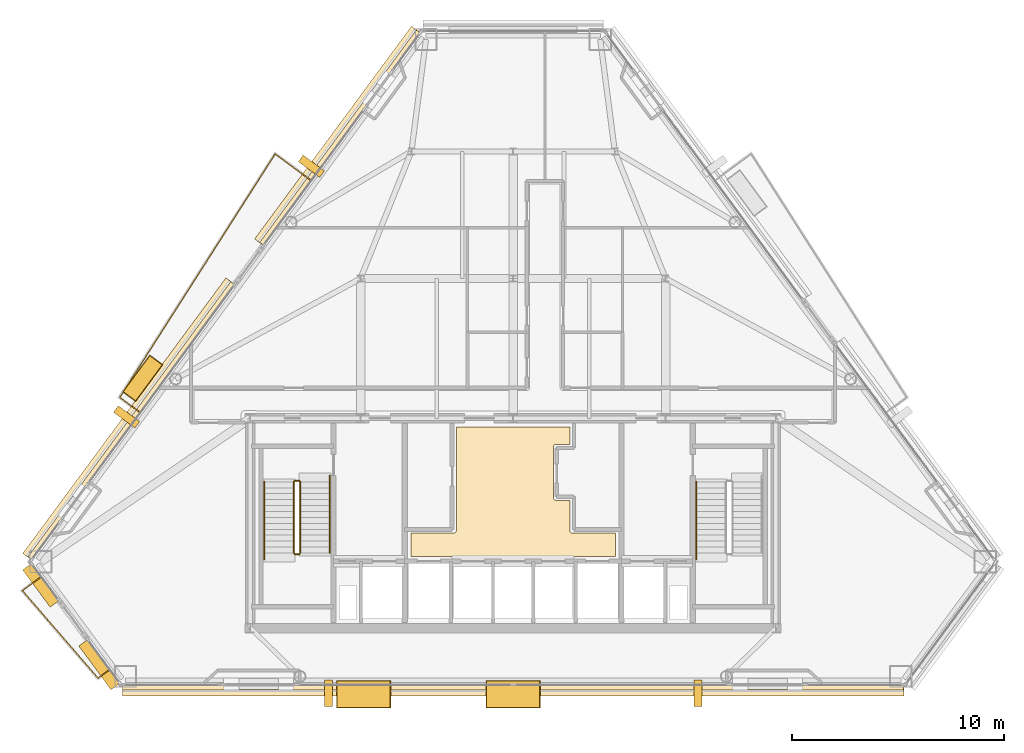
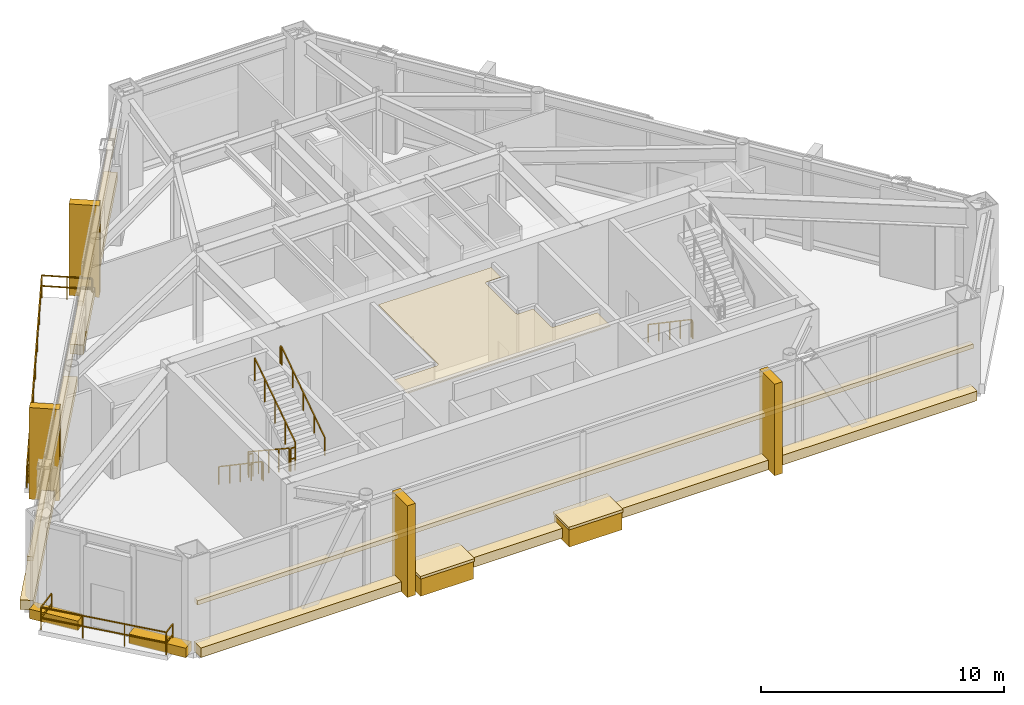
# One storey, part 9 of 10: 19 coverings, 9 railings.
"""IFC4 building model written with IfcOpenShell, lengths in metres."""

from ifc_helpers import new_model, si_unit, direction, frame, origin, origin_2d, place, context, subcontext, project, spatial, polyline, rectangle, outline, extrude, material, layer, layer_set, type_object, element, save


model = new_model("IFC4")

# Units and contexts
model_context = context("Model", 3, precision=1e-05, world=origin(), true_north=direction((0.0, 1.0)))
body_context = subcontext(model_context, "Body", "Model", "MODEL_VIEW")
ifc_project = project(units=[si_unit("LENGTHUNIT", "METRE"), si_unit("AREAUNIT", "SQUARE_METRE"), si_unit("VOLUMEUNIT", "CUBIC_METRE"), si_unit("PLANEANGLEUNIT", "RADIAN"), si_unit("MASSUNIT", "GRAM", prefix="KILO")], contexts=[model_context])

# Site, building, storey
site_placement = place(None, origin())
site = spatial("IfcSite", under=ifc_project, at=site_placement, CompositionType="ELEMENT")
building_placement = place(site_placement, origin())
building = spatial("IfcBuilding", under=site, at=building_placement, Name="Talgorran Terracotta Tower", CompositionType="ELEMENT")
storey_placement = place(building_placement, frame((0.0, 0.0, 173.699951171875)))
storey = spatial("IfcBuildingStorey", under=building, at=storey_placement, Name="L45", CompositionType="ELEMENT", Elevation=173.699951171875)

# Coverings
ifc_material_1 = material(Name="Kiln-Fired Terracotta Ochre Ceramic", Category="masonry")
ifc_layer_1 = layer(ifc_material_1, 0.179931640625, Name="COV_BAGUETTE_TERRACOTTA_SCREEN")
ifc_layer_set_1 = layer_set([ifc_layer_1], Name="Kiln-Fired Terracotta Ochre Ceramic")
covering_type_1 = type_object("IfcCoveringType", Name="COV_BAGUETTE_TERRACOTTA_SCREEN", PredefinedType="CLADDING", material=ifc_layer_set_1)
covering_1_placement = place(storey_placement, frame((0.0, -16.885498046875, 2.41015625), z_axis=(0.0, 0.0, 1.0), x_axis=(1.0, 0.0, 0.0)))
element("IfcCovering", 1, at=covering_1_placement, inside=storey, type_object=covering_type_1, Name="L45 Terracotta Baguette Solar Screen Assembly F1", PredefinedType="CLADDING", context=body_context, shape_type="SweptSolid", body=[
    extrude(rectangle(XDim=36.865478515625, YDim=0.260009765625, at=origin_2d()), origin(), (0.0, 0.0, 1.0), 0.219970703125),
])
covering_2_placement = place(storey_placement, frame((-8.16064453125, 9.038330078125, 2.41015625), z_axis=(0.0, 0.0, 1.0), x_axis=(-0.593489124579, -0.804842008724, 0.0)))
element("IfcCovering", 2, at=covering_2_placement, inside=storey, type_object=covering_type_1, Name="L45 Terracotta Baguette Solar Screen Assembly F60", PredefinedType="CLADDING", context=body_context, shape_type="SweptSolid", body=[
    extrude(rectangle(XDim=12.464599609375, YDim=0.260009765625, at=origin_2d()), origin(), (0.0, 0.0, 1.0), 0.219970703125),
])
covering_3_placement = place(storey_placement, frame((-18.015380859375, -4.32568359375, 2.41015625), z_axis=(0.0, 0.0, 1.0), x_axis=(-0.593489124579, -0.804842008724, 0.0)))
element("IfcCovering", 3, at=covering_3_placement, inside=storey, type_object=covering_type_1, Name="L45 Terracotta Baguette Solar Screen Assembly F61", PredefinedType="CLADDING", context=body_context, shape_type="SweptSolid", body=[
    extrude(rectangle(XDim=16.14453125, YDim=0.260009765625, at=origin_2d()), origin(), (0.0, 0.0, 1.0), 0.219970703125),
])
ifc_material_2 = material(Name="Flush Moisture-Resistant Plaster")
ifc_layer_2 = layer(ifc_material_2, 0.01806640625, Name="COV_CEIL_PLASTER")
ifc_layer_set_2 = layer_set([ifc_layer_2], Name="Flush Moisture-Resistant Plaster")
covering_type_2 = type_object("IfcCoveringType", Name="COV_CEIL_PLASTER", PredefinedType="CEILING", material=ifc_layer_set_2)
covering_4_placement = place(storey_placement, frame((0.0, 0.0, 4.4599609375)))
element("IfcCovering", 4, at=covering_4_placement, inside=storey, type_object=covering_type_2, Name="CEIL-L45-1", PredefinedType="CEILING", context=body_context, shape_type="SweptSolid", body=[
    extrude(outline(polyline([(4.830078125, -9.6201171875), (4.830078125, -10.72998046875), (-4.830078125, -10.72998046875), (-4.830078125, -9.6201171875), (-2.800048828125, -9.6201171875), (-2.7880859375, -9.619384765625), (-2.776611328125, -9.61767578125), (-2.76513671875, -9.61474609375), (-2.754150390625, -9.61083984375), (-2.743408203125, -9.605712890625), (-2.7333984375, -9.599853515625), (-2.723876953125, -9.5927734375), (-2.715087890625, -9.5849609375), (-2.707275390625, -9.576171875), (-2.7001953125, -9.566650390625), (-2.694091796875, -9.556640625), (-2.689208984375, -9.5458984375), (-2.685302734375, -9.534912109375), (-2.682373046875, -9.5234375), (-2.6806640625, -9.51171875), (-2.679931640625, -9.5), (-2.679931640625, -4.6201171875), (2.679931640625, -4.6201171875), (2.679931640625, -5.429931640625), (2.02001953125, -5.429931640625), (2.00830078125, -5.4306640625), (1.99658203125, -5.432373046875), (1.985107421875, -5.435302734375), (1.97412109375, -5.439208984375), (1.96337890625, -5.444091796875), (1.953369140625, -5.4501953125), (1.94384765625, -5.457275390625), (1.93505859375, -5.465087890625), (1.92724609375, -5.473876953125), (1.920166015625, -5.4833984375), (1.914306640625, -5.493408203125), (1.9091796875, -5.504150390625), (1.9052734375, -5.51513671875), (1.90234375, -5.526611328125), (1.900634765625, -5.5380859375), (1.89990234375, -5.550048828125), (1.89990234375, -7.949951171875), (1.900634765625, -7.9619140625), (1.90234375, -7.973388671875), (1.9052734375, -7.98486328125), (1.9091796875, -7.995849609375), (1.914306640625, -8.006591796875), (1.920166015625, -8.0166015625), (1.92724609375, -8.026123046875), (1.93505859375, -8.034912109375), (1.94384765625, -8.042724609375), (1.953369140625, -8.0498046875), (1.96337890625, -8.055908203125), (1.97412109375, -8.060791015625), (1.985107421875, -8.064697265625), (1.99658203125, -8.067626953125), (2.00830078125, -8.0693359375), (2.02001953125, -8.070068359375), (2.679931640625, -8.070068359375), (2.679931640625, -9.5), (2.6806640625, -9.51171875), (2.682373046875, -9.5234375), (2.685302734375, -9.534912109375), (2.689208984375, -9.5458984375), (2.694091796875, -9.556640625), (2.7001953125, -9.566650390625), (2.707275390625, -9.576171875), (2.715087890625, -9.5849609375), (2.723876953125, -9.5927734375), (2.7333984375, -9.599853515625), (2.743408203125, -9.605712890625), (2.754150390625, -9.61083984375), (2.76513671875, -9.61474609375), (2.776611328125, -9.61767578125), (2.7880859375, -9.619384765625), (2.800048828125, -9.6201171875), (4.830078125, -9.6201171875)])), origin(), (0.0, 0.0, 1.0), 0.02001953125),
])
ifc_material_3 = material(Name="Honed Limestone and Terracotta Planter", Category="masonry")
ifc_layer_3 = layer(ifc_material_3, 0.1201171875, Name="COV_PLANTER_BOX")
ifc_layer_set_3 = layer_set([ifc_layer_3], Name="Honed Limestone and Terracotta Planter")
covering_type_3 = type_object("IfcCoveringType", Name="COV_PLANTER_BOX", PredefinedType="CLADDING", material=ifc_layer_set_3)
for number, where, z_axis, x_axis, name in (
    (5, (-7.05419921875, -17.2255859375, -0.179931640625), (0.0, 0.0, 1.0), (1.0, 0.0, 0.0), "L45 Staggered South Facade Planter Box 1"),
    (6, (0.0, -17.2255859375, -0.179931640625), (0.0, 0.0, 1.0), (1.0, 0.0, 0.0), "L45 Staggered South Facade Planter Box 2"),
):
    element("IfcCovering", number, at=place(storey_placement, frame(where, z_axis=z_axis, x_axis=x_axis)), inside=storey, type_object=covering_type_3, Name=name, PredefinedType="CLADDING", context=body_context, shape_type="SweptSolid", body=[
        extrude(rectangle(XDim=2.5, YDim=1.25, at=origin_2d()), origin(), (0.0, 0.0, 1.0), 0.919921875),
    ])
covering_5_placement = place(storey_placement, frame((-17.4853515625, -2.3095703125, -0.02001953125), z_axis=(0.0, 0.0, 1.0), x_axis=(-0.593489124579, -0.804842008724, 0.0)))
element("IfcCovering", 7, at=covering_5_placement, inside=storey, type_object=covering_type_3, Name="L45 Staggered Balcony Planter Box BAL-NW", PredefinedType="CLADDING", context=body_context, shape_type="SweptSolid", body=[
    extrude(rectangle(XDim=2.10009765625, YDim=0.719970703125, at=origin_2d()), origin(), (0.0, 0.0, 1.0), 0.860107421875),
])
ifc_material_4 = material(Name="Kiln-Fired Terracotta Planter Rim", Category="masonry")
ifc_layer_4 = layer(ifc_material_4, 0.10009765625, Name="COV_PLANTER_RIM")
ifc_layer_set_4 = layer_set([ifc_layer_4], Name="Kiln-Fired Terracotta Planter Rim")
covering_type_4 = type_object("IfcCoveringType", Name="COV_PLANTER_RIM", PredefinedType="CLADDING", material=ifc_layer_set_4)
for number, where, z_axis, x_axis, name in (
    (8, (-7.05419921875, -17.2255859375, 0.7099609375), (0.0, 0.0, 1.0), (1.0, 0.0, 0.0), "L45 South Planter Terracotta Rim 1"),
    (9, (0.0, -17.2255859375, 0.7099609375), (0.0, 0.0, 1.0), (1.0, 0.0, 0.0), "L45 South Planter Terracotta Rim 2"),
):
    element("IfcCovering", number, at=place(storey_placement, frame(where, z_axis=z_axis, x_axis=x_axis)), inside=storey, type_object=covering_type_4, Name=name, PredefinedType="CLADDING", context=body_context, shape_type="SweptSolid", body=[
        extrude(rectangle(XDim=2.580078125, YDim=1.320068359375, at=origin_2d()), origin(), (0.0, 0.0, 1.0), 0.139892578125),
    ])
covering_6_placement = place(storey_placement, frame((-17.4853515625, -2.3095703125, 0.800048828125), z_axis=(0.0, 0.0, 1.0), x_axis=(-0.593489124579, -0.804842008724, 0.0)))
element("IfcCovering", 10, at=covering_6_placement, inside=storey, type_object=covering_type_4, Name="L45 Balcony Planter Terracotta Rim BAL-NW", PredefinedType="CLADDING", context=body_context, shape_type="SweptSolid", body=[
    extrude(rectangle(XDim=2.179931640625, YDim=0.780029296875, at=origin_2d()), origin(), (0.0, 0.0, 1.0), 0.1201171875),
])
ifc_material_5 = material(Name="Honed Limestone Cladding", Category="masonry")
ifc_layer_5 = layer(ifc_material_5, 0.094970703125, Name="COV_PORTAL_LIME")
ifc_layer_set_5 = layer_set([ifc_layer_5], Name="Honed Limestone Cladding")
covering_type_5 = type_object("IfcCoveringType", Name="COV_PORTAL_LIME", PredefinedType="CLADDING", material=ifc_layer_set_5)
for number, where, z_axis, x_axis, name in (
    (11, (-8.724853515625, -17.185546875, -0.050048828125), (0.0, 0.0, 1.0), (1.0, 0.0, 0.0), "L45 White Striped Portal Fin F1-1"),
    (12, (-9.521240234375, 7.69873046875, -0.050048828125), (0.0, 0.0, 1.0), (-0.593489124579, -0.804842008724, 0.0), "L45 White Striped Portal Fin F5-1"),
):
    element("IfcCovering", number, at=place(storey_placement, frame(where, z_axis=z_axis, x_axis=x_axis)), inside=storey, type_object=covering_type_5, Name=name, PredefinedType="CLADDING", context=body_context, shape_type="SweptSolid", body=[
        extrude(rectangle(XDim=0.3798828125, YDim=1.25, at=origin_2d()), origin(), (0.0, 0.0, 1.0), 4.60009765625),
    ])
ifc_material_6 = material(Name="Kiln-Fired Terracotta Cladding", Category="masonry")
ifc_layer_6 = layer(ifc_material_6, 0.090087890625, Name="COV_PORTAL_TERRA")
ifc_layer_set_6 = layer_set([ifc_layer_6], Name="Kiln-Fired Terracotta Cladding")
covering_type_6 = type_object("IfcCoveringType", Name="COV_PORTAL_TERRA", PredefinedType="CLADDING", material=ifc_layer_set_6)
covering_7_placement = place(storey_placement, frame((-22.277587890625, -12.07080078125, -0.0400390625), z_axis=(0.0, 0.0, 1.0), x_axis=(0.593503171631, -0.804831650262, 0.0)))
element("IfcCovering", 13, at=covering_7_placement, inside=storey, type_object=covering_type_6, Name="L45 Striped Postmodern Portal Cladding Band F10", PredefinedType="CLADDING", context=body_context, shape_type="SweptSolid", body=[
    extrude(rectangle(XDim=2.1806640625, YDim=0.56005859375, at=origin_2d()), origin(), (0.0, 0.0, 1.0), 0.47998046875),
])
covering_8_placement = place(storey_placement, frame((-19.516357421875, -15.8154296875, -0.0400390625), z_axis=(0.0, 0.0, 1.0), x_axis=(0.593517218503, -0.804821291555, 0.0)))
element("IfcCovering", 14, at=covering_8_placement, inside=storey, type_object=covering_type_6, Name="L45 Striped Postmodern Portal Cladding Band F11", PredefinedType="CLADDING", context=body_context, shape_type="SweptSolid", body=[
    extrude(rectangle(XDim=2.564697265625, YDim=0.56005859375, at=origin_2d()), origin(), (0.0, 0.0, 1.0), 0.47998046875),
])
covering_9_placement = place(storey_placement, frame((0.0, -17.025634765625, -0.0400390625), z_axis=(0.0, 0.0, 1.0), x_axis=(1.0, 0.0, 0.0)))
element("IfcCovering", 15, at=covering_9_placement, inside=storey, type_object=covering_type_6, Name="L45 Striped Postmodern Portal Cladding Band F1", PredefinedType="CLADDING", context=body_context, shape_type="SweptSolid", body=[
    extrude(rectangle(XDim=36.885498046875, YDim=0.56005859375, at=origin_2d()), origin(), (0.0, 0.0, 1.0), 0.47998046875),
])
covering_10_placement = place(storey_placement, frame((-8.2734375, 9.12158203125, -0.0400390625), z_axis=(0.0, 0.0, 1.0), x_axis=(-0.593489124579, -0.804842008724, 0.0)))
element("IfcCovering", 16, at=covering_10_placement, inside=storey, type_object=covering_type_6, Name="L45 Striped Postmodern Portal Cladding Band F60", PredefinedType="CLADDING", context=body_context, shape_type="SweptSolid", body=[
    extrude(rectangle(XDim=12.484619140625, YDim=0.56005859375, at=origin_2d()), origin(), (0.0, 0.0, 1.0), 0.47998046875),
])
covering_11_placement = place(storey_placement, frame((-18.1279296875, -4.242431640625, -0.0400390625), z_axis=(0.0, 0.0, 1.0), x_axis=(-0.593489124579, -0.804842008724, 0.0)))
element("IfcCovering", 17, at=covering_11_placement, inside=storey, type_object=covering_type_6, Name="L45 Striped Postmodern Portal Cladding Band F61", PredefinedType="CLADDING", context=body_context, shape_type="SweptSolid", body=[
    extrude(rectangle(XDim=16.16455078125, YDim=0.56005859375, at=origin_2d()), origin(), (0.0, 0.0, 1.0), 0.47998046875),
])
for number, where, z_axis, x_axis, name in (
    (18, (8.724853515625, -17.185546875, -0.050048828125), (0.0, 0.0, 1.0), (1.0, 0.0, 0.0), "L45 Terracotta Striped Portal Fin F1-2"),
    (19, (-18.24609375, -4.133056640625, -0.050048828125), (0.0, 0.0, 1.0), (-0.593489124579, -0.804842008724, 0.0), "L45 Terracotta Striped Portal Fin F5-2"),
):
    element("IfcCovering", number, at=place(storey_placement, frame(where, z_axis=z_axis, x_axis=x_axis)), inside=storey, type_object=covering_type_6, Name=name, PredefinedType="CLADDING", context=body_context, shape_type="SweptSolid", body=[
        extrude(rectangle(XDim=0.3798828125, YDim=1.25, at=origin_2d()), origin(), (0.0, 0.0, 1.0), 4.60009765625),
    ])

# Railings
ifc_material_7 = material(Name="Laminated Glass and Stainless Steel 316", Category="steel")
railing_type_1 = type_object("IfcRailingType", Name="RL_BALCONY_1150", PredefinedType="BALUSTRADE", material=ifc_material_7)
railing_1_placement = place(storey_placement, frame((-9.54150390625, 7.03125, 0.0)))
element("IfcRailing", 20, at=railing_1_placement, inside=storey, type_object=railing_type_1, Name="RL-L45-BAL-BAL-NW", PredefinedType="BALUSTRADE", context=body_context, shape_type="SweptSolid", body=[
    extrude(rectangle(XDim=0.048095703125, YDim=0.048095703125, at=origin_2d()), frame((0.0, 0.0, 1.1259765625), z_axis=(-0.804877778943, 0.593440612836, 0.0), x_axis=(-0.593440612836, -0.804877778943, 0.0)), (0.0, 0.0, 1.0), 2.1025390625),
    extrude(rectangle(XDim=0.048095703125, YDim=0.048095703125, at=origin_2d()), frame((0.0, 0.0, 0.597900390625), z_axis=(-0.804877778943, 0.593440612836, 0.0), x_axis=(-0.593440612836, -0.804877778943, 0.0)), (0.0, 0.0, 1.0), 2.1025390625),
    extrude(rectangle(XDim=0.048095703125, YDim=0.048095703125, at=origin_2d()), frame((-1.6923828125, 1.247802734375, 1.1259765625), z_axis=(-0.538102049263, -0.842879697572, 0.0), x_axis=(0.842879697572, -0.538102049263, 0.0)), (0.0, 0.0, 1.0), 13.633056640625),
    extrude(rectangle(XDim=0.048095703125, YDim=0.048095703125, at=origin_2d()), frame((-1.6923828125, 1.247802734375, 0.597900390625), z_axis=(-0.538102049263, -0.842879697572, 0.0), x_axis=(0.842879697572, -0.538102049263, 0.0)), (0.0, 0.0, 1.0), 13.633056640625),
    extrude(rectangle(XDim=0.048095703125, YDim=0.048095703125, at=origin_2d()), frame((-9.0283203125, -10.2431640625, 1.1259765625), z_axis=(0.804859386829, -0.593465557074, 0.0), x_axis=(0.593465557074, 0.804859386829, 0.0)), (0.0, 0.0, 1.0), 1.187255859375),
    extrude(rectangle(XDim=0.048095703125, YDim=0.048095703125, at=origin_2d()), frame((-9.0283203125, -10.2431640625, 0.597900390625), z_axis=(0.804859386829, -0.593465557074, 0.0), x_axis=(0.593465557074, 0.804859386829, 0.0)), (0.0, 0.0, 1.0), 1.187255859375),
    extrude(rectangle(XDim=0.0419921875, YDim=0.0419921875, at=origin_2d()), origin(), (0.0, 0.0, 1.0), 1.101806640625),
    extrude(rectangle(XDim=0.0419921875, YDim=0.0419921875, at=origin_2d()), frame((-0.84619140625, 0.6240234375, 0.0)), (0.0, 0.0, 1.0), 1.101806640625),
    extrude(rectangle(XDim=0.0419921875, YDim=0.0419921875, at=origin_2d()), frame((-1.6923828125, 1.247802734375, 0.0)), (0.0, 0.0, 1.0), 1.101806640625),
    extrude(rectangle(XDim=0.0419921875, YDim=0.0419921875, at=origin_2d()), frame((-2.740478515625, -0.393798828125, 0.0)), (0.0, 0.0, 1.0), 1.101806640625),
    extrude(rectangle(XDim=0.0419921875, YDim=0.0419921875, at=origin_2d()), frame((-3.788330078125, -2.035400390625, 0.0)), (0.0, 0.0, 1.0), 1.101806640625),
    extrude(rectangle(XDim=0.0419921875, YDim=0.0419921875, at=origin_2d()), frame((-4.83642578125, -3.677001953125, 0.0)), (0.0, 0.0, 1.0), 1.101806640625),
    extrude(rectangle(XDim=0.0419921875, YDim=0.0419921875, at=origin_2d()), frame((-5.88427734375, -5.318359375, 0.0)), (0.0, 0.0, 1.0), 1.101806640625),
    extrude(rectangle(XDim=0.0419921875, YDim=0.0419921875, at=origin_2d()), frame((-6.932373046875, -6.9599609375, 0.0)), (0.0, 0.0, 1.0), 1.101806640625),
    extrude(rectangle(XDim=0.0419921875, YDim=0.0419921875, at=origin_2d()), frame((-7.980224609375, -8.6015625, 0.0)), (0.0, 0.0, 1.0), 1.101806640625),
    extrude(rectangle(XDim=0.0419921875, YDim=0.0419921875, at=origin_2d()), frame((-9.0283203125, -10.2431640625, 0.0)), (0.0, 0.0, 1.0), 1.101806640625),
    extrude(rectangle(XDim=0.0419921875, YDim=0.0419921875, at=origin_2d()), frame((-8.07275390625, -10.94775390625, 0.0)), (0.0, 0.0, 1.0), 1.101806640625),
])
railing_2_placement = place(storey_placement, frame((-22.286865234375, -11.6875, 0.0)))
element("IfcRailing", 21, at=railing_2_placement, inside=storey, type_object=railing_type_1, Name="RL-L45-BAL-BAL-SW", PredefinedType="BALUSTRADE", context=body_context, shape_type="SweptSolid", body=[
    extrude(rectangle(XDim=0.048095703125, YDim=0.048095703125, at=origin_2d()), frame((0.0, 0.0, 1.1259765625), z_axis=(-0.804825582628, -0.593511399678, 0.0), x_axis=(0.593511399678, -0.804825582628, 0.0)), (0.0, 0.0, 1.0), 1.093017578125),
    extrude(rectangle(XDim=0.048095703125, YDim=0.048095703125, at=origin_2d()), frame((0.0, 0.0, 0.597900390625), z_axis=(-0.804825582628, -0.593511399678, 0.0), x_axis=(0.593511399678, -0.804825582628, 0.0)), (0.0, 0.0, 1.0), 1.093017578125),
    extrude(rectangle(XDim=0.048095703125, YDim=0.048095703125, at=origin_2d()), frame((-0.879638671875, -0.648681640625, 1.1259765625), z_axis=(0.653966660641, -0.756523368291, 0.0), x_axis=(0.756523368291, 0.653966660641, 0.0)), (0.0, 0.0, 1.0), 5.4609375),
    extrude(rectangle(XDim=0.048095703125, YDim=0.048095703125, at=origin_2d()), frame((-0.879638671875, -0.648681640625, 0.597900390625), z_axis=(0.653966660641, -0.756523368291, 0.0), x_axis=(0.756523368291, 0.653966660641, 0.0)), (0.0, 0.0, 1.0), 5.4609375),
    extrude(rectangle(XDim=0.048095703125, YDim=0.048095703125, at=origin_2d()), frame((2.691650390625, -4.780029296875, 1.1259765625), z_axis=(0.804909409461, 0.593397710276, 0.0), x_axis=(-0.593397710276, 0.804909409461, 0.0)), (0.0, 0.0, 1.0), 0.670654296875),
    extrude(rectangle(XDim=0.048095703125, YDim=0.048095703125, at=origin_2d()), frame((2.691650390625, -4.780029296875, 0.597900390625), z_axis=(0.804909409461, 0.593397710276, 0.0), x_axis=(-0.593397710276, 0.804909409461, 0.0)), (0.0, 0.0, 1.0), 0.670654296875),
    extrude(rectangle(XDim=0.0419921875, YDim=0.0419921875, at=origin_2d()), origin(), (0.0, 0.0, 1.0), 1.101806640625),
    extrude(rectangle(XDim=0.0419921875, YDim=0.0419921875, at=origin_2d()), frame((-0.879638671875, -0.648681640625, 0.0)), (0.0, 0.0, 1.0), 1.101806640625),
    extrude(rectangle(XDim=0.0419921875, YDim=0.0419921875, at=origin_2d()), frame((0.310791015625, -2.02587890625, 0.0)), (0.0, 0.0, 1.0), 1.101806640625),
    extrude(rectangle(XDim=0.0419921875, YDim=0.0419921875, at=origin_2d()), frame((1.501220703125, -3.40283203125, 0.0)), (0.0, 0.0, 1.0), 1.101806640625),
    extrude(rectangle(XDim=0.0419921875, YDim=0.0419921875, at=origin_2d()), frame((2.691650390625, -4.780029296875, 0.0)), (0.0, 0.0, 1.0), 1.101806640625),
    extrude(rectangle(XDim=0.0419921875, YDim=0.0419921875, at=origin_2d()), frame((3.2314453125, -4.382080078125, 0.0)), (0.0, 0.0, 1.0), 1.101806640625),
])
ifc_material_8 = material(Name="Steel S355 (300PLUS)", Category="steel")
railing_type_2 = type_object("IfcRailingType", Name="RL_HANDRAIL_920", PredefinedType="HANDRAIL", material=ifc_material_8)
railing_3_placement = place(storey_placement, frame((-11.75, -7.199951171875, 0.1845703125)))
element("IfcRailing", 22, at=railing_3_placement, inside=storey, type_object=railing_type_2, Name="L45 ST-01 stair handrail 1", PredefinedType="HANDRAIL", context=body_context, shape_type="SweptSolid", body=[
    extrude(rectangle(XDim=0.048095703125, YDim=0.048095703125, at=origin_2d()), frame((0.0, 0.0, 0.89599609375), z_axis=(0.0, -0.827695465973, 0.561177525929), x_axis=(1.0, 0.0, 0.0)), (0.0, 0.0, 1.0), 4.277099609375),
    extrude(rectangle(XDim=0.048095703125, YDim=0.048095703125, at=origin_2d()), frame((0.0, -3.5400390625, 3.2958984375), z_axis=(0.0, -1.0, 0.0), x_axis=(1.0, 0.0, 0.0)), (0.0, 0.0, 1.0), 0.1201171875),
    extrude(rectangle(XDim=0.0419921875, YDim=0.0419921875, at=origin_2d()), origin(), (0.0, 0.0, 1.0), 0.871826171875),
    extrude(rectangle(XDim=0.0419921875, YDim=0.0419921875, at=origin_2d()), frame((0.0, -0.885009765625, 0.60009765625)), (0.0, 0.0, 1.0), 0.871826171875),
    extrude(rectangle(XDim=0.0419921875, YDim=0.0419921875, at=origin_2d()), frame((0.0, -1.77001953125, 1.2001953125)), (0.0, 0.0, 1.0), 0.871826171875),
    extrude(rectangle(XDim=0.0419921875, YDim=0.0419921875, at=origin_2d()), frame((0.0, -2.655029296875, 1.800048828125)), (0.0, 0.0, 1.0), 0.871826171875),
    extrude(rectangle(XDim=0.0419921875, YDim=0.0419921875, at=origin_2d()), frame((0.0, -3.5400390625, 2.400146484375)), (0.0, 0.0, 1.0), 0.871826171875),
    extrude(rectangle(XDim=0.0419921875, YDim=0.0419921875, at=origin_2d()), frame((0.0, -3.66015625, 2.400146484375)), (0.0, 0.0, 1.0), 0.871826171875),
])
railing_4_placement = place(storey_placement, frame((-8.64990234375, -10.56005859375, 2.584716796875)))
element("IfcRailing", 23, at=railing_4_placement, inside=storey, type_object=railing_type_2, Name="L45 ST-01 stair handrail 2", PredefinedType="HANDRAIL", context=body_context, shape_type="SweptSolid", body=[
    extrude(rectangle(XDim=0.048095703125, YDim=0.048095703125, at=origin_2d()), frame((0.0, 0.0, 0.89599609375), z_axis=(0.0, 0.827721979786, 0.561138418021), x_axis=(-1.0, 0.0, 0.0)), (0.0, 0.0, 1.0), 4.27685546875),
    extrude(rectangle(XDim=0.048095703125, YDim=0.048095703125, at=origin_2d()), frame((0.0, 3.5400390625, 3.2958984375), z_axis=(0.0, 1.0, 0.0), x_axis=(-1.0, 0.0, 0.0)), (0.0, 0.0, 1.0), 0.1201171875),
    extrude(rectangle(XDim=0.0419921875, YDim=0.0419921875, at=origin_2d()), origin(), (0.0, 0.0, 1.0), 0.871826171875),
    extrude(rectangle(XDim=0.0419921875, YDim=0.0419921875, at=origin_2d()), frame((0.0, 0.885009765625, 0.60009765625)), (0.0, 0.0, 1.0), 0.871826171875),
    extrude(rectangle(XDim=0.0419921875, YDim=0.0419921875, at=origin_2d()), frame((0.0, 1.77001953125, 1.199951171875)), (0.0, 0.0, 1.0), 0.871826171875),
    extrude(rectangle(XDim=0.0419921875, YDim=0.0419921875, at=origin_2d()), frame((0.0, 2.655029296875, 1.7998046875)), (0.0, 0.0, 1.0), 0.871826171875),
    extrude(rectangle(XDim=0.0419921875, YDim=0.0419921875, at=origin_2d()), frame((0.0, 3.5400390625, 2.39990234375)), (0.0, 0.0, 1.0), 0.871826171875),
    extrude(rectangle(XDim=0.0419921875, YDim=0.0419921875, at=origin_2d()), frame((0.0, 3.66015625, 2.39990234375)), (0.0, 0.0, 1.0), 0.871826171875),
])
railing_5_placement = place(storey_placement, frame((8.64990234375, -7.199951171875, 0.1845703125)))
element("IfcRailing", 24, at=railing_5_placement, inside=storey, type_object=railing_type_2, Name="L45 ST-02 stair handrail 1", PredefinedType="HANDRAIL", context=body_context, shape_type="SweptSolid", body=[
    extrude(rectangle(XDim=0.048095703125, YDim=0.048095703125, at=origin_2d()), frame((0.0, 0.0, 0.89599609375), z_axis=(0.0, -0.827695465973, 0.561177525929), x_axis=(1.0, 0.0, 0.0)), (0.0, 0.0, 1.0), 4.277099609375),
    extrude(rectangle(XDim=0.048095703125, YDim=0.048095703125, at=origin_2d()), frame((0.0, -3.5400390625, 3.2958984375), z_axis=(0.0, -1.0, 0.0), x_axis=(1.0, 0.0, 0.0)), (0.0, 0.0, 1.0), 0.1201171875),
    extrude(rectangle(XDim=0.0419921875, YDim=0.0419921875, at=origin_2d()), origin(), (0.0, 0.0, 1.0), 0.871826171875),
    extrude(rectangle(XDim=0.0419921875, YDim=0.0419921875, at=origin_2d()), frame((0.0, -0.885009765625, 0.60009765625)), (0.0, 0.0, 1.0), 0.871826171875),
    extrude(rectangle(XDim=0.0419921875, YDim=0.0419921875, at=origin_2d()), frame((0.0, -1.77001953125, 1.2001953125)), (0.0, 0.0, 1.0), 0.871826171875),
    extrude(rectangle(XDim=0.0419921875, YDim=0.0419921875, at=origin_2d()), frame((0.0, -2.655029296875, 1.800048828125)), (0.0, 0.0, 1.0), 0.871826171875),
    extrude(rectangle(XDim=0.0419921875, YDim=0.0419921875, at=origin_2d()), frame((0.0, -3.5400390625, 2.400146484375)), (0.0, 0.0, 1.0), 0.871826171875),
    extrude(rectangle(XDim=0.0419921875, YDim=0.0419921875, at=origin_2d()), frame((0.0, -3.66015625, 2.400146484375)), (0.0, 0.0, 1.0), 0.871826171875),
])
railing_type_3 = type_object("IfcRailingType", Name="RL_STAIR_GUARD", PredefinedType="GUARDRAIL", material=ifc_material_8)
railing_6_placement = place(storey_placement, frame((-10.35009765625, -7.199951171875, 0.1845703125)))
element("IfcRailing", 25, at=railing_6_placement, inside=storey, type_object=railing_type_3, Name="L45 ST-01 stair guard 1", PredefinedType="GUARDRAIL", context=body_context, shape_type="SweptSolid", body=[
    extrude(rectangle(XDim=0.048095703125, YDim=0.048095703125, at=origin_2d()), frame((0.0, 0.0, 1.15576171875), z_axis=(0.0, -0.834848600103, 0.550479622607), x_axis=(1.0, 0.0, 0.0)), (0.0, 0.0, 1.0), 4.02490234375),
    extrude(rectangle(XDim=0.0419921875, YDim=0.0419921875, at=origin_2d()), origin(), (0.0, 0.0, 1.0), 1.1318359375),
    extrude(rectangle(XDim=0.0419921875, YDim=0.0419921875, at=origin_2d()), frame((0.0, -0.840087890625, 0.553955078125)), (0.0, 0.0, 1.0), 1.1318359375),
    extrude(rectangle(XDim=0.0419921875, YDim=0.0419921875, at=origin_2d()), frame((0.0, -1.68017578125, 1.10791015625)), (0.0, 0.0, 1.0), 1.1318359375),
    extrude(rectangle(XDim=0.0419921875, YDim=0.0419921875, at=origin_2d()), frame((0.0, -2.52001953125, 1.66162109375)), (0.0, 0.0, 1.0), 1.1318359375),
    extrude(rectangle(XDim=0.0419921875, YDim=0.0419921875, at=origin_2d()), frame((0.0, -3.360107421875, 2.215576171875)), (0.0, 0.0, 1.0), 1.1318359375),
])
railing_7_placement = place(storey_placement, frame((-10.300048828125, -10.610107421875, 2.400146484375)))
element("IfcRailing", 26, at=railing_7_placement, inside=storey, type_object=railing_type_3, Name="L45 ST-01 stair guard 2", PredefinedType="GUARDRAIL", context=body_context, shape_type="SweptSolid", body=[
    extrude(rectangle(XDim=0.048095703125, YDim=0.048095703125, at=origin_2d()), frame((0.0, 0.0, 1.15576171875), z_axis=(1.0, 0.0, 0.0), x_axis=(0.0, 1.0, 0.0)), (0.0, 0.0, 1.0), 0.199951171875),
    extrude(rectangle(XDim=0.048095703125, YDim=0.048095703125, at=origin_2d()), frame((0.0, 0.0, 0.613525390625), z_axis=(1.0, 0.0, 0.0), x_axis=(0.0, 1.0, 0.0)), (0.0, 0.0, 1.0), 0.199951171875),
    extrude(rectangle(XDim=0.0419921875, YDim=0.0419921875, at=origin_2d()), origin(), (0.0, 0.0, 1.0), 1.1318359375),
    extrude(rectangle(XDim=0.0419921875, YDim=0.0419921875, at=origin_2d()), frame((0.199951171875, 0.0, 0.0)), (0.0, 0.0, 1.0), 1.1318359375),
])
railing_8_placement = place(storey_placement, frame((-10.050048828125, -10.56005859375, 2.584716796875)))
element("IfcRailing", 27, at=railing_8_placement, inside=storey, type_object=railing_type_3, Name="L45 ST-01 stair guard 3", PredefinedType="GUARDRAIL", context=body_context, shape_type="SweptSolid", body=[
    extrude(rectangle(XDim=0.048095703125, YDim=0.048095703125, at=origin_2d()), frame((0.0, 0.0, 1.15576171875), z_axis=(0.0, 0.834876476806, 0.550437342915), x_axis=(-1.0, 0.0, 0.0)), (0.0, 0.0, 1.0), 4.024658203125),
    extrude(rectangle(XDim=0.0419921875, YDim=0.0419921875, at=origin_2d()), origin(), (0.0, 0.0, 1.0), 1.1318359375),
    extrude(rectangle(XDim=0.0419921875, YDim=0.0419921875, at=origin_2d()), frame((0.0, 0.840087890625, 0.5537109375)), (0.0, 0.0, 1.0), 1.1318359375),
    extrude(rectangle(XDim=0.0419921875, YDim=0.0419921875, at=origin_2d()), frame((0.0, 1.68017578125, 1.107666015625)), (0.0, 0.0, 1.0), 1.1318359375),
    extrude(rectangle(XDim=0.0419921875, YDim=0.0419921875, at=origin_2d()), frame((0.0, 2.52001953125, 1.66162109375)), (0.0, 0.0, 1.0), 1.1318359375),
    extrude(rectangle(XDim=0.0419921875, YDim=0.0419921875, at=origin_2d()), frame((0.0, 3.360107421875, 2.21533203125)), (0.0, 0.0, 1.0), 1.1318359375),
])
railing_9_placement = place(storey_placement, frame((-10.300048828125, -7.14990234375, 0.0)))
element("IfcRailing", 28, at=railing_9_placement, inside=storey, type_object=railing_type_3, Name="L45 ST-01 stair guard 4", PredefinedType="GUARDRAIL", context=body_context, shape_type="SweptSolid", body=[
    extrude(rectangle(XDim=0.048095703125, YDim=0.048095703125, at=origin_2d()), frame((0.0, 0.0, 1.15576171875), z_axis=(1.0, 0.0, 0.0), x_axis=(0.0, 1.0, 0.0)), (0.0, 0.0, 1.0), 0.199951171875),
    extrude(rectangle(XDim=0.048095703125, YDim=0.048095703125, at=origin_2d()), frame((0.0, 0.0, 0.613525390625), z_axis=(1.0, 0.0, 0.0), x_axis=(0.0, 1.0, 0.0)), (0.0, 0.0, 1.0), 0.199951171875),
    extrude(rectangle(XDim=0.0419921875, YDim=0.0419921875, at=origin_2d()), origin(), (0.0, 0.0, 1.0), 1.1318359375),
    extrude(rectangle(XDim=0.0419921875, YDim=0.0419921875, at=origin_2d()), frame((0.199951171875, 0.0, 0.0)), (0.0, 0.0, 1.0), 1.1318359375),
])

save(model, "model.ifc")
